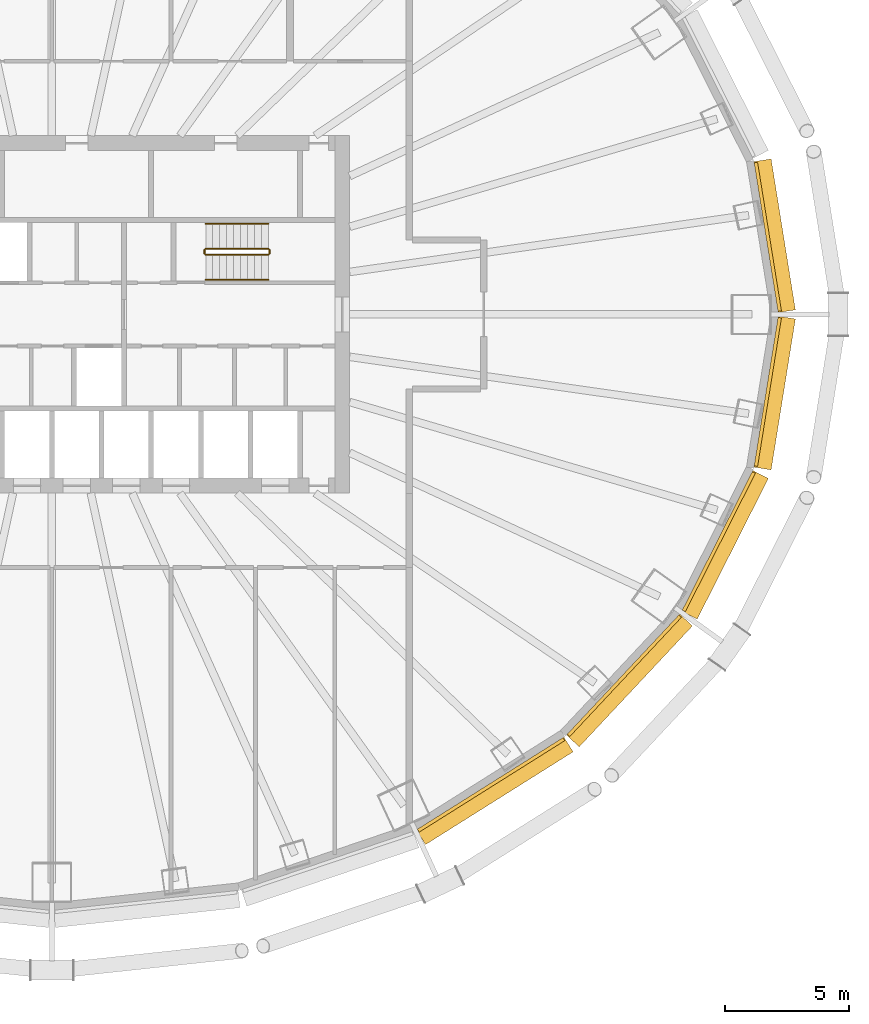
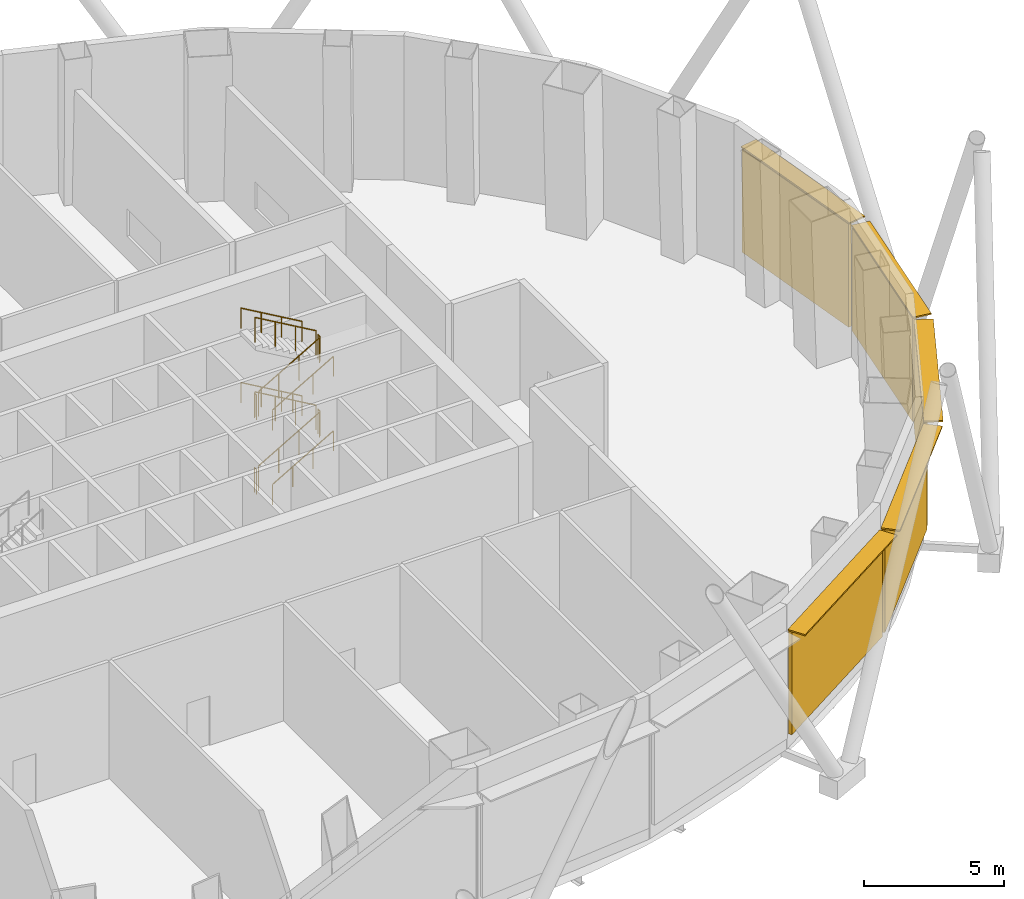
# One storey, part 12 of 13: 12 railings, 10 shading devices.
"""IFC4 building model written with IfcOpenShell, lengths in metres."""

from ifc_helpers import new_model, si_unit, direction, frame, origin, origin_2d, place, context, subcontext, project, spatial, rectangle, circle, extrude, material, layer, layer_set, type_object, element, save


model = new_model("IFC4")

# Units and contexts
model_context = context("Model", 3, precision=1e-05, world=origin(), true_north=direction((0.0, 1.0)))
body_context = subcontext(model_context, "Body", "Model", "MODEL_VIEW")
ifc_project = project(units=[si_unit("LENGTHUNIT", "METRE"), si_unit("AREAUNIT", "SQUARE_METRE"), si_unit("VOLUMEUNIT", "CUBIC_METRE"), si_unit("PLANEANGLEUNIT", "RADIAN"), si_unit("MASSUNIT", "GRAM", prefix="KILO")], contexts=[model_context])

# Site, building, storey
site_placement = place(None, origin())
site = spatial("IfcSite", under=ifc_project, at=site_placement, CompositionType="ELEMENT")
building_placement = place(site_placement, origin())
building = spatial("IfcBuilding", under=site, at=building_placement, Name="Siaravel Broadcast Tower", CompositionType="ELEMENT")
storey_placement = place(building_placement, frame((0.0, 0.0, 7.0)))
storey = spatial("IfcBuildingStorey", under=building, at=storey_placement, Name="L01", CompositionType="ELEMENT", Elevation=7.0)

# Shading devices
ifc_material_1 = material(Name="Bronze anodised aluminium", Category="aluminium")
ifc_layer_1 = layer(ifc_material_1, 0.06005859375)
ifc_layer_set_1 = layer_set([ifc_layer_1], Name="Bronze anodised aluminium")
shading_device_type_1 = type_object("IfcShadingDeviceType", Name="Brise-soleil band", PredefinedType="USERDEFINED", material=ifc_layer_set_1)
shading_device_1_placement = place(storey_placement, frame((29.1201171875, 3.168701171875, 5.1298828125), z_axis=(0.0, 0.0, 1.0), x_axis=(-0.158685394, 0.987329198, 0.0)))
element("IfcShadingDevice", 1, at=shading_device_1_placement, inside=storey, type_object=shading_device_type_1, Name="L01 brise-soleil band 01", ObjectType="SUNSHADE", PredefinedType="USERDEFINED", context=body_context, shape_type="SweptSolid", body=[
    extrude(rectangle(XDim=6.15869140625, YDim=0.699951171875, at=origin_2d()), origin(), (0.0, 0.0, 1.0), 0.06005859375),
])
shading_device_2_placement = place(storey_placement, frame((17.83984375, -19.1962890625, 5.1298828125), z_axis=(0.0, 0.0, 1.0), x_axis=(0.846650436, 0.532149452, 0.0)))
element("IfcShadingDevice", 2, at=shading_device_2_placement, inside=storey, type_object=shading_device_type_1, Name="L01 brise-soleil band 21", ObjectType="SUNSHADE", PredefinedType="USERDEFINED", context=body_context, shape_type="SweptSolid", body=[
    extrude(rectangle(XDim=7.0244140625, YDim=0.699951171875, at=origin_2d()), origin(), (0.0, 0.0, 1.0), 0.06005859375),
])
shading_device_3_placement = place(storey_placement, frame((23.26904296875, -14.748291015625, 5.1298828125), z_axis=(0.0, 0.0, 1.0), x_axis=(0.683655992, 0.729804415, 0.0)))
element("IfcShadingDevice", 3, at=shading_device_3_placement, inside=storey, type_object=shading_device_type_1, Name="L01 brise-soleil band 22", ObjectType="SUNSHADE", PredefinedType="USERDEFINED", context=body_context, shape_type="SweptSolid", body=[
    extrude(rectangle(XDim=6.672119140625, YDim=0.699951171875, at=origin_2d()), origin(), (0.0, 0.0, 1.0), 0.06005859375),
])
shading_device_4_placement = place(storey_placement, frame((27.12060546875, -9.28271484375, 5.1298828125), z_axis=(0.0, 0.0, 1.0), x_axis=(0.451262289, 0.892391364, 0.0)))
element("IfcShadingDevice", 4, at=shading_device_4_placement, inside=storey, type_object=shading_device_type_1, Name="L01 brise-soleil band 23", ObjectType="SUNSHADE", PredefinedType="USERDEFINED", context=body_context, shape_type="SweptSolid", body=[
    extrude(rectangle(XDim=6.351318359375, YDim=0.699951171875, at=origin_2d()), origin(), (0.0, 0.0, 1.0), 0.06005859375),
])
shading_device_5_placement = place(storey_placement, frame((29.1201171875, -3.168701171875, 5.1298828125), z_axis=(0.0, 0.0, 1.0), x_axis=(0.158685394, 0.987329198, 0.0)))
element("IfcShadingDevice", 5, at=shading_device_5_placement, inside=storey, type_object=shading_device_type_1, Name="L01 brise-soleil band 24", ObjectType="SUNSHADE", PredefinedType="USERDEFINED", context=body_context, shape_type="SweptSolid", body=[
    extrude(rectangle(XDim=6.15869140625, YDim=0.699951171875, at=origin_2d()), origin(), (0.0, 0.0, 1.0), 0.06005859375),
])
ifc_material_2 = material(Name="Precast concrete C40/50", Category="concrete")
ifc_layer_2 = layer(ifc_material_2, 0.139892578125)
ifc_layer_set_2 = layer_set([ifc_layer_2], Name="Precast concrete C40/50")
shading_device_type_2 = type_object("IfcShadingDeviceType", Name="Cobogo screen", PredefinedType="USERDEFINED", material=ifc_layer_set_2)
shading_device_6_placement = place(storey_placement, frame((28.843505859375, 3.124267578125, 0.60009765625), z_axis=(0.0, 0.0, 1.0), x_axis=(-0.158685394, 0.987329198, 0.0)))
element("IfcShadingDevice", 6, at=shading_device_6_placement, inside=storey, type_object=shading_device_type_2, Name="L01 cobogo screen 01", ObjectType="SCREEN", PredefinedType="USERDEFINED", context=body_context, shape_type="SweptSolid", body=[
    extrude(rectangle(XDim=6.058837890625, YDim=0.139892578125, at=origin_2d()), origin(), (0.0, 0.0, 1.0), 4.5),
])
shading_device_7_placement = place(storey_placement, frame((17.69091796875, -18.958984375, 0.60009765625), z_axis=(0.0, 0.0, 1.0), x_axis=(0.846650436, 0.532149452, 0.0)))
element("IfcShadingDevice", 7, at=shading_device_7_placement, inside=storey, type_object=shading_device_type_2, Name="L01 cobogo screen 21", ObjectType="SCREEN", PredefinedType="USERDEFINED", context=body_context, shape_type="SweptSolid", body=[
    extrude(rectangle(XDim=6.924560546875, YDim=0.139892578125, at=origin_2d()), origin(), (0.0, 0.0, 1.0), 4.5),
])
shading_device_8_placement = place(storey_placement, frame((23.064697265625, -14.556884765625, 0.60009765625), z_axis=(0.0, 0.0, 1.0), x_axis=(0.683655992, 0.729804415, 0.0)))
element("IfcShadingDevice", 8, at=shading_device_8_placement, inside=storey, type_object=shading_device_type_2, Name="L01 cobogo screen 22", ObjectType="SCREEN", PredefinedType="USERDEFINED", context=body_context, shape_type="SweptSolid", body=[
    extrude(rectangle(XDim=6.572021484375, YDim=0.139892578125, at=origin_2d()), origin(), (0.0, 0.0, 1.0), 4.5),
])
shading_device_9_placement = place(storey_placement, frame((26.87060546875, -9.156494140625, 0.60009765625), z_axis=(0.0, 0.0, 1.0), x_axis=(0.451262289, 0.892391364, 0.0)))
element("IfcShadingDevice", 9, at=shading_device_9_placement, inside=storey, type_object=shading_device_type_2, Name="L01 cobogo screen 23", ObjectType="SCREEN", PredefinedType="USERDEFINED", context=body_context, shape_type="SweptSolid", body=[
    extrude(rectangle(XDim=6.25146484375, YDim=0.139892578125, at=origin_2d()), origin(), (0.0, 0.0, 1.0), 4.5),
])
shading_device_10_placement = place(storey_placement, frame((28.843505859375, -3.124267578125, 0.60009765625), z_axis=(0.0, 0.0, 1.0), x_axis=(0.158685394, 0.987329198, 0.0)))
element("IfcShadingDevice", 10, at=shading_device_10_placement, inside=storey, type_object=shading_device_type_2, Name="L01 cobogo screen 24", ObjectType="SCREEN", PredefinedType="USERDEFINED", context=body_context, shape_type="SweptSolid", body=[
    extrude(rectangle(XDim=6.058837890625, YDim=0.139892578125, at=origin_2d()), origin(), (0.0, 0.0, 1.0), 4.5),
])

# Railings
ifc_material_3 = material(Name="Stainless steel 316L", Category="steel")
railing_type_1 = type_object("IfcRailingType", Name="Stair guard 1100", PredefinedType="GUARDRAIL", material=ifc_material_3)
railing_1_placement = place(storey_placement, frame((6.199951171875, 2.39990234375, 0.16259765625)))
element("IfcRailing", 11, at=railing_1_placement, inside=storey, type_object=railing_type_1, Name="L01 ST-2 stair guard 1", PredefinedType="GUARDRAIL", context=body_context, shape_type="SweptSolid", body=[
    extrude(circle(Radius=0.02392578125, at=origin_2d()), frame((0.0, 0.0, 1.076171875), z_axis=(0.864913338, 0.0, 0.501921226), x_axis=(0.0, 1.0, 0.0)), (0.0, 0.0, 1.0), 2.91357421875),
    extrude(circle(Radius=0.02099609375, at=origin_2d()), origin(), (0.0, 0.0, 1.0), 1.052001953125),
    extrude(circle(Radius=0.02099609375, at=origin_2d()), frame((0.840087890625, 0.0, 0.487548828125)), (0.0, 0.0, 1.0), 1.052001953125),
    extrude(circle(Radius=0.02099609375, at=origin_2d()), frame((1.679931640625, 0.0, 0.974853515625)), (0.0, 0.0, 1.0), 1.052001953125),
    extrude(circle(Radius=0.02099609375, at=origin_2d()), frame((2.52001953125, 0.0, 1.46240234375)), (0.0, 0.0, 1.0), 1.052001953125),
])
railing_2_placement = place(storey_placement, frame((8.77001953125, 2.449951171875, 1.625)))
element("IfcRailing", 12, at=railing_2_placement, inside=storey, type_object=railing_type_1, Name="L01 ST-2 stair guard 2", PredefinedType="GUARDRAIL", context=body_context, shape_type="SweptSolid", body=[
    extrude(circle(Radius=0.02392578125, at=origin_2d()), frame((0.0, 0.0, 1.076171875), z_axis=(0.0, 1.0, 0.0), x_axis=(-1.0, 0.0, 0.0)), (0.0, 0.0, 1.0), 0.150146484375),
    extrude(circle(Radius=0.02099609375, at=origin_2d()), origin(), (0.0, 0.0, 1.0), 1.052001953125),
    extrude(circle(Radius=0.02099609375, at=origin_2d()), frame((0.0, 0.150146484375, 0.0)), (0.0, 0.0, 1.0), 1.052001953125),
])
railing_3_placement = place(storey_placement, frame((8.719970703125, 2.64990234375, 1.78759765625)))
element("IfcRailing", 13, at=railing_3_placement, inside=storey, type_object=railing_type_1, Name="L01 ST-2 stair guard 3", PredefinedType="GUARDRAIL", context=body_context, shape_type="SweptSolid", body=[
    extrude(circle(Radius=0.02392578125, at=origin_2d()), frame((0.0, 0.0, 1.076171875), z_axis=(-0.864913338, 0.0, 0.501921226), x_axis=(0.0, -1.0, 0.0)), (0.0, 0.0, 1.0), 2.91357421875),
    extrude(circle(Radius=0.02099609375, at=origin_2d()), origin(), (0.0, 0.0, 1.0), 1.052001953125),
    extrude(circle(Radius=0.02099609375, at=origin_2d()), frame((-0.840087890625, 0.0, 0.487548828125)), (0.0, 0.0, 1.0), 1.052001953125),
    extrude(circle(Radius=0.02099609375, at=origin_2d()), frame((-1.679931640625, 0.0, 0.974853515625)), (0.0, 0.0, 1.0), 1.052001953125),
    extrude(circle(Radius=0.02099609375, at=origin_2d()), frame((-2.52001953125, 0.0, 1.46240234375)), (0.0, 0.0, 1.0), 1.052001953125),
])
railing_4_placement = place(storey_placement, frame((6.14990234375, 2.449951171875, 3.25)))
element("IfcRailing", 14, at=railing_4_placement, inside=storey, type_object=railing_type_1, Name="L01 ST-2 stair guard 4", PredefinedType="GUARDRAIL", context=body_context, shape_type="SweptSolid", body=[
    extrude(circle(Radius=0.02392578125, at=origin_2d()), frame((0.0, 0.0, 1.076171875), z_axis=(0.0, 1.0, 0.0), x_axis=(-1.0, 0.0, 0.0)), (0.0, 0.0, 1.0), 0.150146484375),
    extrude(circle(Radius=0.02099609375, at=origin_2d()), origin(), (0.0, 0.0, 1.0), 1.052001953125),
    extrude(circle(Radius=0.02099609375, at=origin_2d()), frame((0.0, 0.150146484375, 0.0)), (0.0, 0.0, 1.0), 1.052001953125),
])
railing_5_placement = place(storey_placement, frame((6.199951171875, 2.39990234375, 3.41259765625)))
element("IfcRailing", 15, at=railing_5_placement, inside=storey, type_object=railing_type_1, Name="L01 ST-2 stair guard 5", PredefinedType="GUARDRAIL", context=body_context, shape_type="SweptSolid", body=[
    extrude(circle(Radius=0.02392578125, at=origin_2d()), frame((0.0, 0.0, 1.076171875), z_axis=(0.864913338, 0.0, 0.501921226), x_axis=(0.0, 1.0, 0.0)), (0.0, 0.0, 1.0), 2.91357421875),
    extrude(circle(Radius=0.02099609375, at=origin_2d()), origin(), (0.0, 0.0, 1.0), 1.052001953125),
    extrude(circle(Radius=0.02099609375, at=origin_2d()), frame((0.840087890625, 0.0, 0.487548828125)), (0.0, 0.0, 1.0), 1.052001953125),
    extrude(circle(Radius=0.02099609375, at=origin_2d()), frame((1.679931640625, 0.0, 0.974853515625)), (0.0, 0.0, 1.0), 1.052001953125),
    extrude(circle(Radius=0.02099609375, at=origin_2d()), frame((2.52001953125, 0.0, 1.46240234375)), (0.0, 0.0, 1.0), 1.052001953125),
])
railing_6_placement = place(storey_placement, frame((8.77001953125, 2.449951171875, 4.875)))
element("IfcRailing", 16, at=railing_6_placement, inside=storey, type_object=railing_type_1, Name="L01 ST-2 stair guard 6", PredefinedType="GUARDRAIL", context=body_context, shape_type="SweptSolid", body=[
    extrude(circle(Radius=0.02392578125, at=origin_2d()), frame((0.0, 0.0, 1.076171875), z_axis=(0.0, 1.0, 0.0), x_axis=(-1.0, 0.0, 0.0)), (0.0, 0.0, 1.0), 0.150146484375),
    extrude(circle(Radius=0.02099609375, at=origin_2d()), origin(), (0.0, 0.0, 1.0), 1.052001953125),
    extrude(circle(Radius=0.02099609375, at=origin_2d()), frame((0.0, 0.150146484375, 0.0)), (0.0, 0.0, 1.0), 1.052001953125),
])
railing_7_placement = place(storey_placement, frame((8.719970703125, 2.64990234375, 5.03759765625)))
element("IfcRailing", 17, at=railing_7_placement, inside=storey, type_object=railing_type_1, Name="L01 ST-2 stair guard 7", PredefinedType="GUARDRAIL", context=body_context, shape_type="SweptSolid", body=[
    extrude(circle(Radius=0.02392578125, at=origin_2d()), frame((0.0, 0.0, 1.076171875), z_axis=(-0.864913338, 0.0, 0.501921226), x_axis=(0.0, -1.0, 0.0)), (0.0, 0.0, 1.0), 2.91357421875),
    extrude(circle(Radius=0.02099609375, at=origin_2d()), origin(), (0.0, 0.0, 1.0), 1.052001953125),
    extrude(circle(Radius=0.02099609375, at=origin_2d()), frame((-0.840087890625, 0.0, 0.487548828125)), (0.0, 0.0, 1.0), 1.052001953125),
    extrude(circle(Radius=0.02099609375, at=origin_2d()), frame((-1.679931640625, 0.0, 0.974853515625)), (0.0, 0.0, 1.0), 1.052001953125),
    extrude(circle(Radius=0.02099609375, at=origin_2d()), frame((-2.52001953125, 0.0, 1.46240234375)), (0.0, 0.0, 1.0), 1.052001953125),
])
railing_8_placement = place(storey_placement, frame((6.14990234375, 2.449951171875, 0.0)))
element("IfcRailing", 18, at=railing_8_placement, inside=storey, type_object=railing_type_1, Name="L01 ST-2 stair guard 8", PredefinedType="GUARDRAIL", context=body_context, shape_type="SweptSolid", body=[
    extrude(circle(Radius=0.02392578125, at=origin_2d()), frame((0.0, 0.0, 1.076171875), z_axis=(0.0, 1.0, 0.0), x_axis=(-1.0, 0.0, 0.0)), (0.0, 0.0, 1.0), 0.150146484375),
    extrude(circle(Radius=0.02099609375, at=origin_2d()), origin(), (0.0, 0.0, 1.0), 1.052001953125),
    extrude(circle(Radius=0.02099609375, at=origin_2d()), frame((0.0, 0.150146484375, 0.0)), (0.0, 0.0, 1.0), 1.052001953125),
])
railing_type_2 = type_object("IfcRailingType", Name="Stair handrail 900", PredefinedType="HANDRAIL", material=ifc_material_3)
railing_9_placement = place(storey_placement, frame((6.199951171875, 1.39990234375, 0.16259765625)))
element("IfcRailing", 19, at=railing_9_placement, inside=storey, type_object=railing_type_2, Name="L01 ST-2 stair handrail 1", PredefinedType="HANDRAIL", context=body_context, shape_type="SweptSolid", body=[
    extrude(circle(Radius=0.02392578125, at=origin_2d()), frame((0.0, 0.0, 0.8759765625), z_axis=(0.864913338, 0.0, 0.501921226), x_axis=(0.0, 1.0, 0.0)), (0.0, 0.0, 1.0), 2.91357421875),
    extrude(circle(Radius=0.02099609375, at=origin_2d()), origin(), (0.0, 0.0, 1.0), 0.851806640625),
    extrude(circle(Radius=0.02099609375, at=origin_2d()), frame((0.840087890625, 0.0, 0.487548828125)), (0.0, 0.0, 1.0), 0.851806640625),
    extrude(circle(Radius=0.02099609375, at=origin_2d()), frame((1.679931640625, 0.0, 0.974853515625)), (0.0, 0.0, 1.0), 0.851806640625),
    extrude(circle(Radius=0.02099609375, at=origin_2d()), frame((2.52001953125, 0.0, 1.46240234375)), (0.0, 0.0, 1.0), 0.851806640625),
])
railing_10_placement = place(storey_placement, frame((8.719970703125, 3.64990234375, 1.78759765625)))
element("IfcRailing", 20, at=railing_10_placement, inside=storey, type_object=railing_type_2, Name="L01 ST-2 stair handrail 2", PredefinedType="HANDRAIL", context=body_context, shape_type="SweptSolid", body=[
    extrude(circle(Radius=0.02392578125, at=origin_2d()), frame((0.0, 0.0, 0.8759765625), z_axis=(-0.864913338, 0.0, 0.501921226), x_axis=(0.0, -1.0, 0.0)), (0.0, 0.0, 1.0), 2.91357421875),
    extrude(circle(Radius=0.02099609375, at=origin_2d()), origin(), (0.0, 0.0, 1.0), 0.851806640625),
    extrude(circle(Radius=0.02099609375, at=origin_2d()), frame((-0.840087890625, 0.0, 0.487548828125)), (0.0, 0.0, 1.0), 0.851806640625),
    extrude(circle(Radius=0.02099609375, at=origin_2d()), frame((-1.679931640625, 0.0, 0.974853515625)), (0.0, 0.0, 1.0), 0.851806640625),
    extrude(circle(Radius=0.02099609375, at=origin_2d()), frame((-2.52001953125, 0.0, 1.46240234375)), (0.0, 0.0, 1.0), 0.851806640625),
])
railing_11_placement = place(storey_placement, frame((6.199951171875, 1.39990234375, 3.41259765625)))
element("IfcRailing", 21, at=railing_11_placement, inside=storey, type_object=railing_type_2, Name="L01 ST-2 stair handrail 3", PredefinedType="HANDRAIL", context=body_context, shape_type="SweptSolid", body=[
    extrude(circle(Radius=0.02392578125, at=origin_2d()), frame((0.0, 0.0, 0.8759765625), z_axis=(0.864913338, 0.0, 0.501921226), x_axis=(0.0, 1.0, 0.0)), (0.0, 0.0, 1.0), 2.91357421875),
    extrude(circle(Radius=0.02099609375, at=origin_2d()), origin(), (0.0, 0.0, 1.0), 0.851806640625),
    extrude(circle(Radius=0.02099609375, at=origin_2d()), frame((0.840087890625, 0.0, 0.487548828125)), (0.0, 0.0, 1.0), 0.851806640625),
    extrude(circle(Radius=0.02099609375, at=origin_2d()), frame((1.679931640625, 0.0, 0.974853515625)), (0.0, 0.0, 1.0), 0.851806640625),
    extrude(circle(Radius=0.02099609375, at=origin_2d()), frame((2.52001953125, 0.0, 1.46240234375)), (0.0, 0.0, 1.0), 0.851806640625),
])
railing_12_placement = place(storey_placement, frame((8.719970703125, 3.64990234375, 5.03759765625)))
element("IfcRailing", 22, at=railing_12_placement, inside=storey, type_object=railing_type_2, Name="L01 ST-2 stair handrail 4", PredefinedType="HANDRAIL", context=body_context, shape_type="SweptSolid", body=[
    extrude(circle(Radius=0.02392578125, at=origin_2d()), frame((0.0, 0.0, 0.8759765625), z_axis=(-0.864913338, 0.0, 0.501921226), x_axis=(0.0, -1.0, 0.0)), (0.0, 0.0, 1.0), 2.91357421875),
    extrude(circle(Radius=0.02099609375, at=origin_2d()), origin(), (0.0, 0.0, 1.0), 0.851806640625),
    extrude(circle(Radius=0.02099609375, at=origin_2d()), frame((-0.840087890625, 0.0, 0.487548828125)), (0.0, 0.0, 1.0), 0.851806640625),
    extrude(circle(Radius=0.02099609375, at=origin_2d()), frame((-1.679931640625, 0.0, 0.974853515625)), (0.0, 0.0, 1.0), 0.851806640625),
    extrude(circle(Radius=0.02099609375, at=origin_2d()), frame((-2.52001953125, 0.0, 1.46240234375)), (0.0, 0.0, 1.0), 0.851806640625),
])

save(model, "model.ifc")
